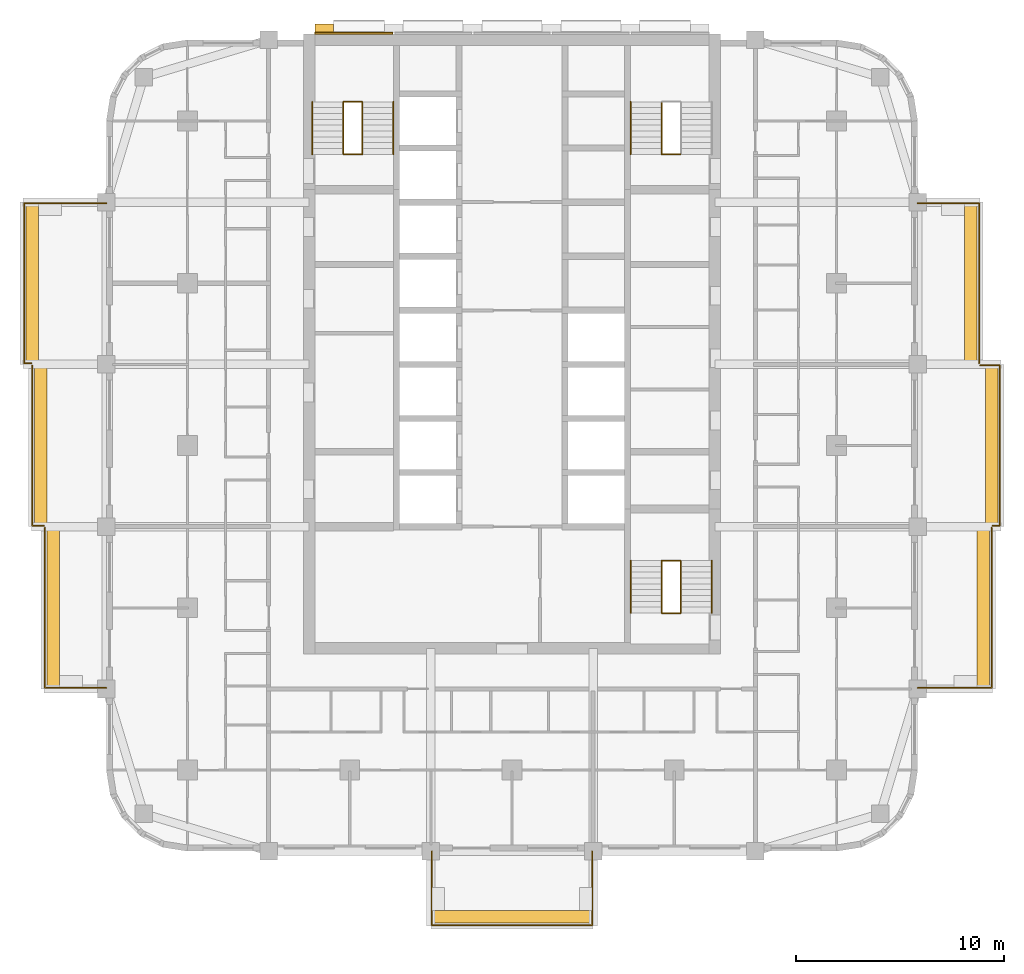
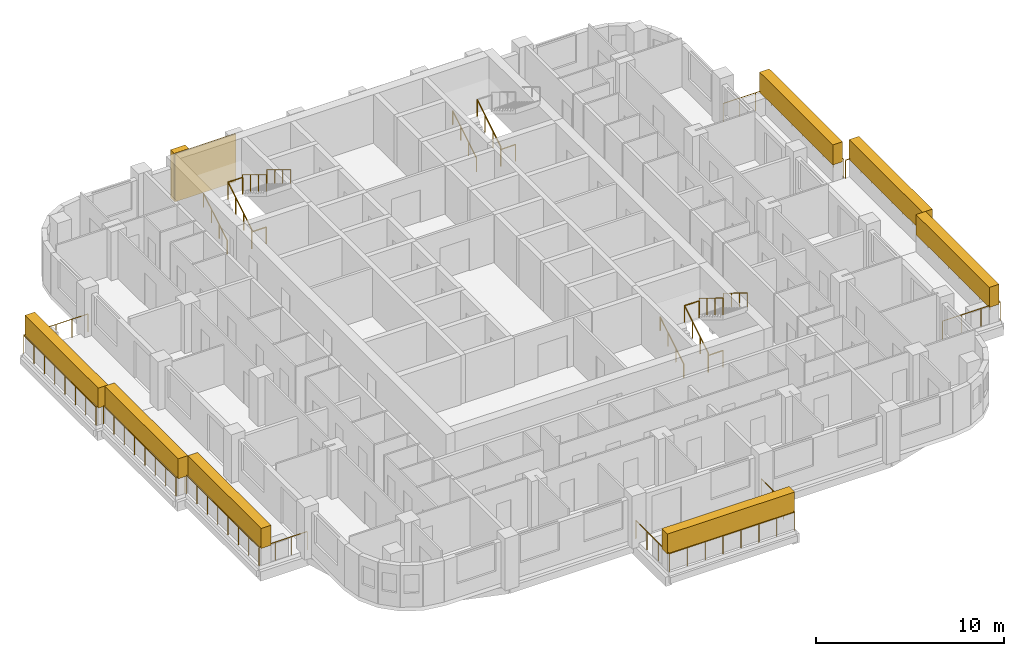
# One storey, part 12 of 13: 22 railings, 9 coverings, 3 elements without a shape of their own.
"""IFC4 building model written with IfcOpenShell, lengths in metres."""

from ifc_helpers import new_model, si_unit, direction, frame, origin, origin_2d, place, context, subcontext, project, spatial, rectangle, circle, extrude, material, layer, layer_set, type_object, element, aggregate, save


model = new_model("IFC4")

# Units and contexts
model_context = context("Model", 3, precision=1e-05, world=origin(), true_north=direction((0.0, 1.0)))
body_context = subcontext(model_context, "Body", "Model", "MODEL_VIEW")
ifc_project = project(units=[si_unit("LENGTHUNIT", "METRE"), si_unit("AREAUNIT", "SQUARE_METRE"), si_unit("VOLUMEUNIT", "CUBIC_METRE"), si_unit("PLANEANGLEUNIT", "RADIAN"), si_unit("MASSUNIT", "GRAM", prefix="KILO")], contexts=[model_context])

# Site, building, storey
site_placement = place(None, origin())
site = spatial("IfcSite", under=ifc_project, at=site_placement, CompositionType="ELEMENT")
building_placement = place(site_placement, origin())
building = spatial("IfcBuilding", under=site, at=building_placement, Name="Ludao Terraces", CompositionType="ELEMENT")
storey_placement = place(building_placement, frame((0.0, 0.0, 130.5)))
storey = spatial("IfcBuildingStorey", under=building, at=storey_placement, Name="L35", CompositionType="ELEMENT", Elevation=130.5)

# Railings
ifc_material_1 = material(Name="Stainless steel 304", Category="steel")
railing_type_1 = type_object("IfcRailingType", Name="ENV Balcony glass guard 1200", PredefinedType="GUARDRAIL", material=ifc_material_1)
railing_1_placement = place(storey_placement, frame((81.14990234375, 45.5, 0.0)))
element("IfcRailing", 1, at=railing_1_placement, inside=storey, type_object=railing_type_1, Name="Balcony guard L35 S1", PredefinedType="GUARDRAIL", context=body_context, shape_type="SweptSolid", body=[
    extrude(circle(Radius=0.02392578125, at=origin_2d()), frame((0.0, 0.0, 1.17578125), z_axis=(0.0, -1.0, 0.0), x_axis=(1.0, 0.0, 0.0)), (0.0, 0.0, 1.0), 3.550048828125),
    extrude(circle(Radius=0.02392578125, at=origin_2d()), frame((0.0, -3.550048828125, 1.17578125), z_axis=(1.0, 0.0, 0.0), x_axis=(0.0, 1.0, 0.0)), (0.0, 0.0, 1.0), 7.7001953125),
    extrude(circle(Radius=0.02392578125, at=origin_2d()), frame((7.7001953125, -3.550048828125, 1.17578125), z_axis=(0.0, 1.0, 0.0), x_axis=(-1.0, 0.0, 0.0)), (0.0, 0.0, 1.0), 3.550048828125),
    extrude(circle(Radius=0.02099609375, at=origin_2d()), origin(), (0.0, 0.0, 1.0), 1.15185546875),
    extrude(circle(Radius=0.02099609375, at=origin_2d()), frame((0.0, -1.183349609375, 0.0)), (0.0, 0.0, 1.0), 1.15185546875),
    extrude(circle(Radius=0.02099609375, at=origin_2d()), frame((0.0, -2.36669921875, 0.0)), (0.0, 0.0, 1.0), 1.15185546875),
    extrude(circle(Radius=0.02099609375, at=origin_2d()), frame((0.0, -3.550048828125, 0.0)), (0.0, 0.0, 1.0), 1.15185546875),
    extrude(circle(Radius=0.02099609375, at=origin_2d()), frame((1.10009765625, -3.550048828125, 0.0)), (0.0, 0.0, 1.0), 1.15185546875),
    extrude(circle(Radius=0.02099609375, at=origin_2d()), frame((2.199951171875, -3.550048828125, 0.0)), (0.0, 0.0, 1.0), 1.15185546875),
    extrude(circle(Radius=0.02099609375, at=origin_2d()), frame((3.300048828125, -3.550048828125, 0.0)), (0.0, 0.0, 1.0), 1.15185546875),
    extrude(circle(Radius=0.02099609375, at=origin_2d()), frame((4.400146484375, -3.550048828125, 0.0)), (0.0, 0.0, 1.0), 1.15185546875),
    extrude(circle(Radius=0.02099609375, at=origin_2d()), frame((5.500244140625, -3.550048828125, 0.0)), (0.0, 0.0, 1.0), 1.15185546875),
    extrude(circle(Radius=0.02099609375, at=origin_2d()), frame((6.60009765625, -3.550048828125, 0.0)), (0.0, 0.0, 1.0), 1.15185546875),
    extrude(circle(Radius=0.02099609375, at=origin_2d()), frame((7.7001953125, -3.550048828125, 0.0)), (0.0, 0.0, 1.0), 1.15185546875),
    extrude(circle(Radius=0.02099609375, at=origin_2d()), frame((7.7001953125, -2.36669921875, 0.0)), (0.0, 0.0, 1.0), 1.15185546875),
    extrude(circle(Radius=0.02099609375, at=origin_2d()), frame((7.7001953125, -1.183349609375, 0.0)), (0.0, 0.0, 1.0), 1.15185546875),
    extrude(circle(Radius=0.02099609375, at=origin_2d()), frame((7.7001953125, 0.0, 0.0)), (0.0, 0.0, 1.0), 1.15185546875),
])
railing_2_placement = place(storey_placement, frame((104.5, 53.35009765625, 0.0)))
element("IfcRailing", 2, at=railing_2_placement, inside=storey, type_object=railing_type_1, Name="Balcony guard L35 E1", PredefinedType="GUARDRAIL", context=body_context, shape_type="SweptSolid", body=[
    extrude(circle(Radius=0.02392578125, at=origin_2d()), frame((0.0, 0.0, 1.17578125), z_axis=(1.0, 0.0, 0.0), x_axis=(0.0, 1.0, 0.0)), (0.0, 0.0, 1.0), 3.550048828125),
    extrude(circle(Radius=0.02392578125, at=origin_2d()), frame((3.550048828125, 0.0, 1.17578125), z_axis=(0.0, 1.0, 0.0), x_axis=(-1.0, 0.0, 0.0)), (0.0, 0.0, 1.0), 7.699951171875),
    extrude(circle(Radius=0.02099609375, at=origin_2d()), origin(), (0.0, 0.0, 1.0), 1.15185546875),
    extrude(circle(Radius=0.02099609375, at=origin_2d()), frame((1.183349609375, 0.0, 0.0)), (0.0, 0.0, 1.0), 1.15185546875),
    extrude(circle(Radius=0.02099609375, at=origin_2d()), frame((2.36669921875, 0.0, 0.0)), (0.0, 0.0, 1.0), 1.15185546875),
    extrude(circle(Radius=0.02099609375, at=origin_2d()), frame((3.550048828125, 0.0, 0.0)), (0.0, 0.0, 1.0), 1.15185546875),
    extrude(circle(Radius=0.02099609375, at=origin_2d()), frame((3.550048828125, 1.10009765625, 0.0)), (0.0, 0.0, 1.0), 1.15185546875),
    extrude(circle(Radius=0.02099609375, at=origin_2d()), frame((3.550048828125, 2.199951171875, 0.0)), (0.0, 0.0, 1.0), 1.15185546875),
    extrude(circle(Radius=0.02099609375, at=origin_2d()), frame((3.550048828125, 3.300048828125, 0.0)), (0.0, 0.0, 1.0), 1.15185546875),
    extrude(circle(Radius=0.02099609375, at=origin_2d()), frame((3.550048828125, 4.39990234375, 0.0)), (0.0, 0.0, 1.0), 1.15185546875),
    extrude(circle(Radius=0.02099609375, at=origin_2d()), frame((3.550048828125, 5.5, 0.0)), (0.0, 0.0, 1.0), 1.15185546875),
    extrude(circle(Radius=0.02099609375, at=origin_2d()), frame((3.550048828125, 6.599853515625, 0.0)), (0.0, 0.0, 1.0), 1.15185546875),
    extrude(circle(Radius=0.02099609375, at=origin_2d()), frame((3.550048828125, 7.699951171875, 0.0)), (0.0, 0.0, 1.0), 1.15185546875),
])
railing_3_placement = place(storey_placement, frame((108.10009765625, 61.14990234375, 0.0)))
element("IfcRailing", 3, at=railing_3_placement, inside=storey, type_object=railing_type_1, Name="Balcony guard L35 E2", PredefinedType="GUARDRAIL", context=body_context, shape_type="SweptSolid", body=[
    extrude(circle(Radius=0.02392578125, at=origin_2d()), frame((0.0, 0.0, 1.17578125), z_axis=(1.0, 0.0, 0.0), x_axis=(0.0, 1.0, 0.0)), (0.0, 0.0, 1.0), 0.349853515625),
    extrude(circle(Radius=0.02392578125, at=origin_2d()), frame((0.349853515625, 0.0, 1.17578125), z_axis=(0.0, 1.0, 0.0), x_axis=(-1.0, 0.0, 0.0)), (0.0, 0.0, 1.0), 7.7001953125),
    extrude(circle(Radius=0.02392578125, at=origin_2d()), frame((0.349853515625, 7.7001953125, 1.17578125), z_axis=(-1.0, 0.0, 0.0), x_axis=(0.0, -1.0, 0.0)), (0.0, 0.0, 1.0), 0.949951171875),
    extrude(circle(Radius=0.02099609375, at=origin_2d()), origin(), (0.0, 0.0, 1.0), 1.15185546875),
    extrude(circle(Radius=0.02099609375, at=origin_2d()), frame((0.349853515625, 0.0, 0.0)), (0.0, 0.0, 1.0), 1.15185546875),
    extrude(circle(Radius=0.02099609375, at=origin_2d()), frame((0.349853515625, 1.10009765625, 0.0)), (0.0, 0.0, 1.0), 1.15185546875),
    extrude(circle(Radius=0.02099609375, at=origin_2d()), frame((0.349853515625, 2.199951171875, 0.0)), (0.0, 0.0, 1.0), 1.15185546875),
    extrude(circle(Radius=0.02099609375, at=origin_2d()), frame((0.349853515625, 3.300048828125, 0.0)), (0.0, 0.0, 1.0), 1.15185546875),
    extrude(circle(Radius=0.02099609375, at=origin_2d()), frame((0.349853515625, 4.400146484375, 0.0)), (0.0, 0.0, 1.0), 1.15185546875),
    extrude(circle(Radius=0.02099609375, at=origin_2d()), frame((0.349853515625, 5.500244140625, 0.0)), (0.0, 0.0, 1.0), 1.15185546875),
    extrude(circle(Radius=0.02099609375, at=origin_2d()), frame((0.349853515625, 6.60009765625, 0.0)), (0.0, 0.0, 1.0), 1.15185546875),
    extrude(circle(Radius=0.02099609375, at=origin_2d()), frame((0.349853515625, 7.7001953125, 0.0)), (0.0, 0.0, 1.0), 1.15185546875),
    extrude(circle(Radius=0.02099609375, at=origin_2d()), frame((-0.60009765625, 7.7001953125, 0.0)), (0.0, 0.0, 1.0), 1.15185546875),
])
railing_4_placement = place(storey_placement, frame((107.449951171875, 68.949951171875, 0.0)))
element("IfcRailing", 4, at=railing_4_placement, inside=storey, type_object=railing_type_1, Name="Balcony guard L35 E3", PredefinedType="GUARDRAIL", context=body_context, shape_type="SweptSolid", body=[
    extrude(circle(Radius=0.02392578125, at=origin_2d()), frame((0.0, 0.0, 1.17578125), z_axis=(0.0, 1.0, 0.0), x_axis=(-1.0, 0.0, 0.0)), (0.0, 0.0, 1.0), 7.699951171875),
    extrude(circle(Radius=0.02392578125, at=origin_2d()), frame((0.0, 7.699951171875, 1.17578125), z_axis=(-1.0, 0.0, 0.0), x_axis=(0.0, -1.0, 0.0)), (0.0, 0.0, 1.0), 2.949951171875),
    extrude(circle(Radius=0.02099609375, at=origin_2d()), origin(), (0.0, 0.0, 1.0), 1.15185546875),
    extrude(circle(Radius=0.02099609375, at=origin_2d()), frame((0.0, 1.10009765625, 0.0)), (0.0, 0.0, 1.0), 1.15185546875),
    extrude(circle(Radius=0.02099609375, at=origin_2d()), frame((0.0, 2.199951171875, 0.0)), (0.0, 0.0, 1.0), 1.15185546875),
    extrude(circle(Radius=0.02099609375, at=origin_2d()), frame((0.0, 3.300048828125, 0.0)), (0.0, 0.0, 1.0), 1.15185546875),
    extrude(circle(Radius=0.02099609375, at=origin_2d()), frame((0.0, 4.39990234375, 0.0)), (0.0, 0.0, 1.0), 1.15185546875),
    extrude(circle(Radius=0.02099609375, at=origin_2d()), frame((0.0, 5.5, 0.0)), (0.0, 0.0, 1.0), 1.15185546875),
    extrude(circle(Radius=0.02099609375, at=origin_2d()), frame((0.0, 6.599853515625, 0.0)), (0.0, 0.0, 1.0), 1.15185546875),
    extrude(circle(Radius=0.02099609375, at=origin_2d()), frame((0.0, 7.699951171875, 0.0)), (0.0, 0.0, 1.0), 1.15185546875),
    extrude(circle(Radius=0.02099609375, at=origin_2d()), frame((-0.9833984375, 7.699951171875, 0.0)), (0.0, 0.0, 1.0), 1.15185546875),
    extrude(circle(Radius=0.02099609375, at=origin_2d()), frame((-1.966552734375, 7.699951171875, 0.0)), (0.0, 0.0, 1.0), 1.15185546875),
    extrude(circle(Radius=0.02099609375, at=origin_2d()), frame((-2.949951171875, 7.699951171875, 0.0)), (0.0, 0.0, 1.0), 1.15185546875),
])
railing_5_placement = place(storey_placement, frame((65.5, 53.35009765625, 0.0)))
element("IfcRailing", 5, at=railing_5_placement, inside=storey, type_object=railing_type_1, Name="Balcony guard L35 W1", PredefinedType="GUARDRAIL", context=body_context, shape_type="SweptSolid", body=[
    extrude(circle(Radius=0.02392578125, at=origin_2d()), frame((0.0, 0.0, 1.17578125), z_axis=(-1.0, 0.0, 0.0), x_axis=(0.0, -1.0, 0.0)), (0.0, 0.0, 1.0), 2.949951171875),
    extrude(circle(Radius=0.02392578125, at=origin_2d()), frame((-2.949951171875, 0.0, 1.17578125), z_axis=(0.0, 1.0, 0.0), x_axis=(-1.0, 0.0, 0.0)), (0.0, 0.0, 1.0), 7.699951171875),
    extrude(circle(Radius=0.02099609375, at=origin_2d()), origin(), (0.0, 0.0, 1.0), 1.15185546875),
    extrude(circle(Radius=0.02099609375, at=origin_2d()), frame((-0.9833984375, 0.0, 0.0)), (0.0, 0.0, 1.0), 1.15185546875),
    extrude(circle(Radius=0.02099609375, at=origin_2d()), frame((-1.966552734375, 0.0, 0.0)), (0.0, 0.0, 1.0), 1.15185546875),
    extrude(circle(Radius=0.02099609375, at=origin_2d()), frame((-2.949951171875, 0.0, 0.0)), (0.0, 0.0, 1.0), 1.15185546875),
    extrude(circle(Radius=0.02099609375, at=origin_2d()), frame((-2.949951171875, 1.10009765625, 0.0)), (0.0, 0.0, 1.0), 1.15185546875),
    extrude(circle(Radius=0.02099609375, at=origin_2d()), frame((-2.949951171875, 2.199951171875, 0.0)), (0.0, 0.0, 1.0), 1.15185546875),
    extrude(circle(Radius=0.02099609375, at=origin_2d()), frame((-2.949951171875, 3.300048828125, 0.0)), (0.0, 0.0, 1.0), 1.15185546875),
    extrude(circle(Radius=0.02099609375, at=origin_2d()), frame((-2.949951171875, 4.39990234375, 0.0)), (0.0, 0.0, 1.0), 1.15185546875),
    extrude(circle(Radius=0.02099609375, at=origin_2d()), frame((-2.949951171875, 5.5, 0.0)), (0.0, 0.0, 1.0), 1.15185546875),
    extrude(circle(Radius=0.02099609375, at=origin_2d()), frame((-2.949951171875, 6.599853515625, 0.0)), (0.0, 0.0, 1.0), 1.15185546875),
    extrude(circle(Radius=0.02099609375, at=origin_2d()), frame((-2.949951171875, 7.699951171875, 0.0)), (0.0, 0.0, 1.0), 1.15185546875),
])
railing_6_placement = place(storey_placement, frame((62.5, 61.14990234375, 0.0)))
element("IfcRailing", 6, at=railing_6_placement, inside=storey, type_object=railing_type_1, Name="Balcony guard L35 W2", PredefinedType="GUARDRAIL", context=body_context, shape_type="SweptSolid", body=[
    extrude(circle(Radius=0.02392578125, at=origin_2d()), frame((0.0, 0.0, 1.17578125), z_axis=(-1.0, 0.0, 0.0), x_axis=(0.0, -1.0, 0.0)), (0.0, 0.0, 1.0), 0.550048828125),
    extrude(circle(Radius=0.02392578125, at=origin_2d()), frame((-0.550048828125, 0.0, 1.17578125), z_axis=(0.0, 1.0, 0.0), x_axis=(-1.0, 0.0, 0.0)), (0.0, 0.0, 1.0), 7.7001953125),
    extrude(circle(Radius=0.02099609375, at=origin_2d()), origin(), (0.0, 0.0, 1.0), 1.15185546875),
    extrude(circle(Radius=0.02099609375, at=origin_2d()), frame((-0.550048828125, 0.0, 0.0)), (0.0, 0.0, 1.0), 1.15185546875),
    extrude(circle(Radius=0.02099609375, at=origin_2d()), frame((-0.550048828125, 1.10009765625, 0.0)), (0.0, 0.0, 1.0), 1.15185546875),
    extrude(circle(Radius=0.02099609375, at=origin_2d()), frame((-0.550048828125, 2.199951171875, 0.0)), (0.0, 0.0, 1.0), 1.15185546875),
    extrude(circle(Radius=0.02099609375, at=origin_2d()), frame((-0.550048828125, 3.300048828125, 0.0)), (0.0, 0.0, 1.0), 1.15185546875),
    extrude(circle(Radius=0.02099609375, at=origin_2d()), frame((-0.550048828125, 4.400146484375, 0.0)), (0.0, 0.0, 1.0), 1.15185546875),
    extrude(circle(Radius=0.02099609375, at=origin_2d()), frame((-0.550048828125, 5.500244140625, 0.0)), (0.0, 0.0, 1.0), 1.15185546875),
    extrude(circle(Radius=0.02099609375, at=origin_2d()), frame((-0.550048828125, 6.60009765625, 0.0)), (0.0, 0.0, 1.0), 1.15185546875),
    extrude(circle(Radius=0.02099609375, at=origin_2d()), frame((-0.550048828125, 7.7001953125, 0.0)), (0.0, 0.0, 1.0), 1.15185546875),
])
railing_7_placement = place(storey_placement, frame((61.89990234375, 68.949951171875, 0.0)))
element("IfcRailing", 7, at=railing_7_placement, inside=storey, type_object=railing_type_1, Name="Balcony guard L35 W3", PredefinedType="GUARDRAIL", context=body_context, shape_type="SweptSolid", body=[
    extrude(circle(Radius=0.02392578125, at=origin_2d()), frame((0.0, 0.0, 1.17578125), z_axis=(-1.0, 0.0, 0.0), x_axis=(0.0, -1.0, 0.0)), (0.0, 0.0, 1.0), 0.349853515625),
    extrude(circle(Radius=0.02392578125, at=origin_2d()), frame((-0.349853515625, 0.0, 1.17578125), z_axis=(0.0, 1.0, 0.0), x_axis=(-1.0, 0.0, 0.0)), (0.0, 0.0, 1.0), 7.699951171875),
    extrude(circle(Radius=0.02392578125, at=origin_2d()), frame((-0.349853515625, 7.699951171875, 1.17578125), z_axis=(1.0, 0.0, 0.0), x_axis=(0.0, 1.0, 0.0)), (0.0, 0.0, 1.0), 3.949951171875),
    extrude(circle(Radius=0.02099609375, at=origin_2d()), origin(), (0.0, 0.0, 1.0), 1.15185546875),
    extrude(circle(Radius=0.02099609375, at=origin_2d()), frame((-0.349853515625, 0.0, 0.0)), (0.0, 0.0, 1.0), 1.15185546875),
    extrude(circle(Radius=0.02099609375, at=origin_2d()), frame((-0.349853515625, 1.10009765625, 0.0)), (0.0, 0.0, 1.0), 1.15185546875),
    extrude(circle(Radius=0.02099609375, at=origin_2d()), frame((-0.349853515625, 2.199951171875, 0.0)), (0.0, 0.0, 1.0), 1.15185546875),
    extrude(circle(Radius=0.02099609375, at=origin_2d()), frame((-0.349853515625, 3.300048828125, 0.0)), (0.0, 0.0, 1.0), 1.15185546875),
    extrude(circle(Radius=0.02099609375, at=origin_2d()), frame((-0.349853515625, 4.39990234375, 0.0)), (0.0, 0.0, 1.0), 1.15185546875),
    extrude(circle(Radius=0.02099609375, at=origin_2d()), frame((-0.349853515625, 5.5, 0.0)), (0.0, 0.0, 1.0), 1.15185546875),
    extrude(circle(Radius=0.02099609375, at=origin_2d()), frame((-0.349853515625, 6.599853515625, 0.0)), (0.0, 0.0, 1.0), 1.15185546875),
    extrude(circle(Radius=0.02099609375, at=origin_2d()), frame((-0.349853515625, 7.699951171875, 0.0)), (0.0, 0.0, 1.0), 1.15185546875),
    extrude(circle(Radius=0.02099609375, at=origin_2d()), frame((0.6376953125, 7.699951171875, 0.0)), (0.0, 0.0, 1.0), 1.15185546875),
    extrude(circle(Radius=0.02099609375, at=origin_2d()), frame((1.625, 7.699951171875, 0.0)), (0.0, 0.0, 1.0), 1.15185546875),
    extrude(circle(Radius=0.02099609375, at=origin_2d()), frame((2.612548828125, 7.699951171875, 0.0)), (0.0, 0.0, 1.0), 1.15185546875),
    extrude(circle(Radius=0.02099609375, at=origin_2d()), frame((3.60009765625, 7.699951171875, 0.0)), (0.0, 0.0, 1.0), 1.15185546875),
])

# Coverings
ifc_material_2 = material(Name="Granite cladding", Category="masonry")
ifc_layer_1 = layer(ifc_material_2, 0.39990234375)
ifc_layer_set_1 = layer_set([ifc_layer_1], Name="ENV Core pilaster stone 400")
covering_type_1 = type_object("IfcCoveringType", Name="ENV Core pilaster stone 400", PredefinedType="CLADDING", material=ifc_layer_set_1)
covering_1_placement = place(storey_placement, frame((75.97509765625, 85.054931640625, 0.0), z_axis=(0.0, 0.0, 1.0), x_axis=(1.0, 0.0, 0.0)))
element("IfcCovering", 8, at=covering_1_placement, inside=storey, type_object=covering_type_1, Name="CC-L35-PIL1", PredefinedType="CLADDING", context=body_context, shape_type="SweptSolid", body=[
    extrude(rectangle(XDim=0.89990234375, YDim=0.39990234375, at=origin_2d()), origin(), (0.0, 0.0, 1.0), 3.10009765625),
])
ifc_layer_2 = layer(ifc_material_2, 0.080078125)
ifc_layer_set_2 = layer_set([ifc_layer_2], Name="ENV Core stone cladding panel 80")
covering_type_2 = type_object("IfcCoveringType", Name="ENV Core stone cladding panel 80", PredefinedType="CLADDING", material=ifc_layer_set_2)
covering_2_placement = place(storey_placement, frame((77.39501953125, 84.81494140625, 0.0), z_axis=(0.0, 0.0, 1.0), x_axis=(1.0, 0.0, 0.0)))
element("IfcCovering", 9, at=covering_2_placement, inside=storey, type_object=covering_type_2, Name="CC-L35-CORE1", PredefinedType="CLADDING", context=body_context, shape_type="SweptSolid", body=[
    extrude(rectangle(XDim=3.739990234375, YDim=0.080078125, at=origin_2d()), origin(), (0.0, 0.0, 1.0), 3.10009765625),
])
ifc_material_3 = material(Name="Planting")
ifc_layer_3 = layer(ifc_material_3, 0.60009765625)
ifc_layer_set_3 = layer_set([ifc_layer_3], Name="ENV Planting hedge 600x1300")
covering_type_3 = type_object("IfcCoveringType", Name="ENV Planting hedge 600x1300", PredefinedType="USERDEFINED", material=ifc_layer_set_3)
covering_3_placement = place(storey_placement, frame((85.0, 42.35009765625, 1.10009765625), z_axis=(0.0, 0.0, 1.0), x_axis=(1.0, 0.0, 0.0)))
element("IfcCovering", 10, at=covering_3_placement, inside=storey, type_object=covering_type_3, Name="Planting hedge L35-S1", ObjectType="PLANTING", PredefinedType="USERDEFINED", context=body_context, shape_type="SweptSolid", body=[
    extrude(rectangle(XDim=7.800048828125, YDim=0.60009765625, at=origin_2d()), origin(), (0.0, 0.0, 1.0), 1.300048828125),
])
for number, where, z_axis, x_axis, name in (
    (11, (107.64990234375, 57.199951171875, 1.10009765625), (0.0, 0.0, 1.0), (1.0, 0.0, 0.0), "Planting hedge L35-E1"),
    (12, (108.050048828125, 65.0, 1.10009765625), (0.0, 0.0, 1.0), (1.0, 0.0, 0.0), "Planting hedge L35-E2"),
    (13, (107.050048828125, 72.800048828125, 1.10009765625), (0.0, 0.0, 1.0), (1.0, 0.0, 0.0), "Planting hedge L35-E3"),
    (14, (62.949951171875, 57.199951171875, 1.10009765625), (0.0, 0.0, 1.0), (1.0, 0.0, 0.0), "Planting hedge L35-W1"),
    (15, (62.35009765625, 65.0, 1.10009765625), (0.0, 0.0, 1.0), (1.0, 0.0, 0.0), "Planting hedge L35-W2"),
    (16, (61.949951171875, 72.800048828125, 1.10009765625), (0.0, 0.0, 1.0), (1.0, 0.0, 0.0), "Planting hedge L35-W3"),
):
    element("IfcCovering", number, at=place(storey_placement, frame(where, z_axis=z_axis, x_axis=x_axis)), inside=storey, type_object=covering_type_3, Name=name, ObjectType="PLANTING", PredefinedType="USERDEFINED", context=body_context, shape_type="SweptSolid", body=[
        extrude(rectangle(XDim=0.60009765625, YDim=7.800048828125, at=origin_2d()), origin(), (0.0, 0.0, 1.0), 1.300048828125),
    ])

# Stair, railings
ifc_material_4 = material(Name="Concrete C40", Category="concrete")
stair_type = type_object("IfcStairType", Name="INT Stair", PredefinedType="HALF_TURN_STAIR", material=ifc_material_4)
stair_1_placement = place(storey_placement, origin())
stair_1 = element("IfcStair", 17, at=stair_1_placement, inside=storey, type_object=stair_type, Name="EXIT STAIR 1", PredefinedType="HALF_TURN_STAIR")
railing_type_2 = type_object("IfcRailingType", Name="INT Stair guard 1100", PredefinedType="GUARDRAIL", material=ifc_material_1)
railing_8_placement = place(storey_placement, frame((76.89990234375, 79.0, 0.169921875)))
railing_8 = element("IfcRailing", 18, at=railing_8_placement, type_object=railing_type_2, Name="ST-L35-S1-R1G", PredefinedType="GUARDRAIL", context=body_context, shape_type="SweptSolid", body=[
    extrude(circle(Radius=0.02392578125, at=origin_2d()), frame((0.0, 0.0, 1.076171875), z_axis=(0.0, 0.85478489116, 0.518982456201), x_axis=(-1.0, 0.0, 0.0)), (0.0, 0.0, 1.0), 2.9482421875),
    extrude(circle(Radius=0.02099609375, at=origin_2d()), origin(), (0.0, 0.0, 1.0), 1.052001953125),
    extrude(circle(Radius=0.02099609375, at=origin_2d()), frame((0.0, 0.840087890625, 0.510009765625)), (0.0, 0.0, 1.0), 1.052001953125),
    extrude(circle(Radius=0.02099609375, at=origin_2d()), frame((0.0, 1.679931640625, 1.02001953125)), (0.0, 0.0, 1.0), 1.052001953125),
    extrude(circle(Radius=0.02099609375, at=origin_2d()), frame((0.0, 2.52001953125, 1.530029296875)), (0.0, 0.0, 1.0), 1.052001953125),
])
railing_9_placement = place(storey_placement, frame((77.800048828125, 81.52001953125, 1.8701171875)))
railing_9 = element("IfcRailing", 19, at=railing_9_placement, type_object=railing_type_2, Name="ST-L35-S1-R2G", PredefinedType="GUARDRAIL", context=body_context, shape_type="SweptSolid", body=[
    extrude(circle(Radius=0.02392578125, at=origin_2d()), frame((0.0, 0.0, 1.076171875), z_axis=(0.0, -0.854821627497, 0.518921945155), x_axis=(1.0, 0.0, 0.0)), (0.0, 0.0, 1.0), 2.947998046875),
    extrude(circle(Radius=0.02099609375, at=origin_2d()), origin(), (0.0, 0.0, 1.0), 1.052001953125),
    extrude(circle(Radius=0.02099609375, at=origin_2d()), frame((0.0, -0.840087890625, 0.510009765625)), (0.0, 0.0, 1.0), 1.052001953125),
    extrude(circle(Radius=0.02099609375, at=origin_2d()), frame((0.0, -1.679931640625, 1.019775390625)), (0.0, 0.0, 1.0), 1.052001953125),
    extrude(circle(Radius=0.02099609375, at=origin_2d()), frame((0.0, -2.52001953125, 1.52978515625)), (0.0, 0.0, 1.0), 1.052001953125),
])
railing_10_placement = place(storey_placement, frame((76.89990234375, 81.52001953125, 1.699951171875)))
railing_10 = element("IfcRailing", 20, at=railing_10_placement, type_object=railing_type_2, Name="ST-L35-S1-E1G", PredefinedType="GUARDRAIL", context=body_context, shape_type="SweptSolid", body=[
    extrude(circle(Radius=0.02392578125, at=origin_2d()), frame((0.0, 0.0, 1.076171875), z_axis=(1.0, 0.0, 0.0), x_axis=(0.0, 1.0, 0.0)), (0.0, 0.0, 1.0), 0.900146484375),
    extrude(circle(Radius=0.02099609375, at=origin_2d()), origin(), (0.0, 0.0, 1.0), 1.052001953125),
    extrude(circle(Radius=0.02099609375, at=origin_2d()), frame((0.900146484375, 0.0, 0.0)), (0.0, 0.0, 1.0), 1.052001953125),
])
railing_11_placement = place(storey_placement, frame((76.89990234375, 79.0, 0.0)))
railing_11 = element("IfcRailing", 21, at=railing_11_placement, type_object=railing_type_2, Name="ST-L35-S1-E2G", PredefinedType="GUARDRAIL", context=body_context, shape_type="SweptSolid", body=[
    extrude(circle(Radius=0.02392578125, at=origin_2d()), frame((0.0, 0.0, 1.076171875), z_axis=(1.0, 0.0, 0.0), x_axis=(0.0, 1.0, 0.0)), (0.0, 0.0, 1.0), 0.900146484375),
    extrude(circle(Radius=0.02099609375, at=origin_2d()), origin(), (0.0, 0.0, 1.0), 1.052001953125),
    extrude(circle(Radius=0.02099609375, at=origin_2d()), frame((0.900146484375, 0.0, 0.0)), (0.0, 0.0, 1.0), 1.052001953125),
])

stair_2_placement = place(storey_placement, origin())
stair_2 = element("IfcStair", 22, at=stair_2_placement, inside=storey, type_object=stair_type, Name="EXIT STAIR 2", PredefinedType="HALF_TURN_STAIR")
railing_12_placement = place(storey_placement, frame((92.199951171875, 79.0, 0.169921875)))
railing_12 = element("IfcRailing", 23, at=railing_12_placement, type_object=railing_type_2, Name="ST-L35-S2-R1G", PredefinedType="GUARDRAIL", context=body_context, shape_type="SweptSolid", body=[
    extrude(circle(Radius=0.02392578125, at=origin_2d()), frame((0.0, 0.0, 1.076171875), z_axis=(0.0, 0.85478489116, 0.518982456201), x_axis=(-1.0, 0.0, 0.0)), (0.0, 0.0, 1.0), 2.9482421875),
    extrude(circle(Radius=0.02099609375, at=origin_2d()), origin(), (0.0, 0.0, 1.0), 1.052001953125),
    extrude(circle(Radius=0.02099609375, at=origin_2d()), frame((0.0, 0.840087890625, 0.510009765625)), (0.0, 0.0, 1.0), 1.052001953125),
    extrude(circle(Radius=0.02099609375, at=origin_2d()), frame((0.0, 1.679931640625, 1.02001953125)), (0.0, 0.0, 1.0), 1.052001953125),
    extrude(circle(Radius=0.02099609375, at=origin_2d()), frame((0.0, 2.52001953125, 1.530029296875)), (0.0, 0.0, 1.0), 1.052001953125),
])
railing_13_placement = place(storey_placement, frame((92.199951171875, 79.0, 0.0)))
railing_13 = element("IfcRailing", 24, at=railing_13_placement, type_object=railing_type_2, Name="ST-L35-S2-E2G", PredefinedType="GUARDRAIL", context=body_context, shape_type="SweptSolid", body=[
    extrude(circle(Radius=0.02392578125, at=origin_2d()), frame((0.0, 0.0, 1.076171875), z_axis=(1.0, 0.0, 0.0), x_axis=(0.0, 1.0, 0.0)), (0.0, 0.0, 1.0), 0.900146484375),
    extrude(circle(Radius=0.02099609375, at=origin_2d()), origin(), (0.0, 0.0, 1.0), 1.052001953125),
    extrude(circle(Radius=0.02099609375, at=origin_2d()), frame((0.900146484375, 0.0, 0.0)), (0.0, 0.0, 1.0), 1.052001953125),
])

stair_3_placement = place(storey_placement, origin())
stair_3 = element("IfcStair", 25, at=stair_3_placement, inside=storey, type_object=stair_type, Name="EXIT STAIR 3", PredefinedType="HALF_TURN_STAIR")
railing_14_placement = place(storey_placement, frame((92.199951171875, 56.949951171875, 0.169921875)))
railing_14 = element("IfcRailing", 26, at=railing_14_placement, type_object=railing_type_2, Name="ST-L35-S3-R1G", PredefinedType="GUARDRAIL", context=body_context, shape_type="SweptSolid", body=[
    extrude(circle(Radius=0.02392578125, at=origin_2d()), frame((0.0, 0.0, 1.076171875), z_axis=(0.0, 0.85478489116, 0.518982456201), x_axis=(-1.0, 0.0, 0.0)), (0.0, 0.0, 1.0), 2.9482421875),
    extrude(circle(Radius=0.02099609375, at=origin_2d()), origin(), (0.0, 0.0, 1.0), 1.052001953125),
    extrude(circle(Radius=0.02099609375, at=origin_2d()), frame((0.0, 0.840087890625, 0.510009765625)), (0.0, 0.0, 1.0), 1.052001953125),
    extrude(circle(Radius=0.02099609375, at=origin_2d()), frame((0.0, 1.679931640625, 1.02001953125)), (0.0, 0.0, 1.0), 1.052001953125),
    extrude(circle(Radius=0.02099609375, at=origin_2d()), frame((0.0, 2.52001953125, 1.530029296875)), (0.0, 0.0, 1.0), 1.052001953125),
])
railing_15_placement = place(storey_placement, frame((93.10009765625, 59.469970703125, 1.8701171875)))
railing_15 = element("IfcRailing", 27, at=railing_15_placement, type_object=railing_type_2, Name="ST-L35-S3-R2G", PredefinedType="GUARDRAIL", context=body_context, shape_type="SweptSolid", body=[
    extrude(circle(Radius=0.02392578125, at=origin_2d()), frame((0.0, 0.0, 1.076171875), z_axis=(0.0, -0.854821627497, 0.518921945155), x_axis=(1.0, 0.0, 0.0)), (0.0, 0.0, 1.0), 2.947998046875),
    extrude(circle(Radius=0.02099609375, at=origin_2d()), origin(), (0.0, 0.0, 1.0), 1.052001953125),
    extrude(circle(Radius=0.02099609375, at=origin_2d()), frame((0.0, -0.840087890625, 0.510009765625)), (0.0, 0.0, 1.0), 1.052001953125),
    extrude(circle(Radius=0.02099609375, at=origin_2d()), frame((0.0, -1.679931640625, 1.019775390625)), (0.0, 0.0, 1.0), 1.052001953125),
    extrude(circle(Radius=0.02099609375, at=origin_2d()), frame((0.0, -2.52001953125, 1.52978515625)), (0.0, 0.0, 1.0), 1.052001953125),
])
railing_16_placement = place(storey_placement, frame((92.199951171875, 59.469970703125, 1.699951171875)))
railing_16 = element("IfcRailing", 28, at=railing_16_placement, type_object=railing_type_2, Name="ST-L35-S3-E1G", PredefinedType="GUARDRAIL", context=body_context, shape_type="SweptSolid", body=[
    extrude(circle(Radius=0.02392578125, at=origin_2d()), frame((0.0, 0.0, 1.076171875), z_axis=(1.0, 0.0, 0.0), x_axis=(0.0, 1.0, 0.0)), (0.0, 0.0, 1.0), 0.900146484375),
    extrude(circle(Radius=0.02099609375, at=origin_2d()), origin(), (0.0, 0.0, 1.0), 1.052001953125),
    extrude(circle(Radius=0.02099609375, at=origin_2d()), frame((0.900146484375, 0.0, 0.0)), (0.0, 0.0, 1.0), 1.052001953125),
])
railing_17_placement = place(storey_placement, frame((92.199951171875, 56.949951171875, 0.0)))
railing_17 = element("IfcRailing", 29, at=railing_17_placement, type_object=railing_type_2, Name="ST-L35-S3-E2G", PredefinedType="GUARDRAIL", context=body_context, shape_type="SweptSolid", body=[
    extrude(circle(Radius=0.02392578125, at=origin_2d()), frame((0.0, 0.0, 1.076171875), z_axis=(1.0, 0.0, 0.0), x_axis=(0.0, 1.0, 0.0)), (0.0, 0.0, 1.0), 0.900146484375),
    extrude(circle(Radius=0.02099609375, at=origin_2d()), origin(), (0.0, 0.0, 1.0), 1.052001953125),
    extrude(circle(Radius=0.02099609375, at=origin_2d()), frame((0.900146484375, 0.0, 0.0)), (0.0, 0.0, 1.0), 1.052001953125),
])

# Railing
railing_type_3 = type_object("IfcRailingType", Name="INT Stair handrail 900", PredefinedType="HANDRAIL", material=ifc_material_1)
railing_18_placement = place(storey_placement, frame((75.39990234375, 79.0, 0.169921875)))
railing_18 = element("IfcRailing", 30, at=railing_18_placement, type_object=railing_type_3, Name="ST-L35-S1-R1H", PredefinedType="HANDRAIL", context=body_context, shape_type="SweptSolid", body=[
    extrude(circle(Radius=0.02392578125, at=origin_2d()), frame((0.0, 0.0, 0.8759765625), z_axis=(0.0, 0.85478489116, 0.518982456201), x_axis=(-1.0, 0.0, 0.0)), (0.0, 0.0, 1.0), 2.9482421875),
    extrude(circle(Radius=0.02099609375, at=origin_2d()), origin(), (0.0, 0.0, 1.0), 0.851806640625),
    extrude(circle(Radius=0.02099609375, at=origin_2d()), frame((0.0, 0.840087890625, 0.510009765625)), (0.0, 0.0, 1.0), 0.851806640625),
    extrude(circle(Radius=0.02099609375, at=origin_2d()), frame((0.0, 1.679931640625, 1.02001953125)), (0.0, 0.0, 1.0), 0.851806640625),
    extrude(circle(Radius=0.02099609375, at=origin_2d()), frame((0.0, 2.52001953125, 1.530029296875)), (0.0, 0.0, 1.0), 0.851806640625),
])

railing_19_placement = place(storey_placement, frame((79.300048828125, 81.52001953125, 1.8701171875)))
railing_19 = element("IfcRailing", 31, at=railing_19_placement, type_object=railing_type_3, Name="ST-L35-S1-R2H", PredefinedType="HANDRAIL", context=body_context, shape_type="SweptSolid", body=[
    extrude(circle(Radius=0.02392578125, at=origin_2d()), frame((0.0, 0.0, 0.8759765625), z_axis=(0.0, -0.854821627497, 0.518921945155), x_axis=(1.0, 0.0, 0.0)), (0.0, 0.0, 1.0), 2.947998046875),
    extrude(circle(Radius=0.02099609375, at=origin_2d()), origin(), (0.0, 0.0, 1.0), 0.851806640625),
    extrude(circle(Radius=0.02099609375, at=origin_2d()), frame((0.0, -0.840087890625, 0.510009765625)), (0.0, 0.0, 1.0), 0.851806640625),
    extrude(circle(Radius=0.02099609375, at=origin_2d()), frame((0.0, -1.679931640625, 1.019775390625)), (0.0, 0.0, 1.0), 0.851806640625),
    extrude(circle(Radius=0.02099609375, at=origin_2d()), frame((0.0, -2.52001953125, 1.52978515625)), (0.0, 0.0, 1.0), 0.851806640625),
])

aggregate(stair_1, [railing_8, railing_18, railing_9, railing_19, railing_10, railing_11])

railing_20_placement = place(storey_placement, frame((90.699951171875, 79.0, 0.169921875)))
railing_20 = element("IfcRailing", 32, at=railing_20_placement, type_object=railing_type_3, Name="ST-L35-S2-R1H", PredefinedType="HANDRAIL", context=body_context, shape_type="SweptSolid", body=[
    extrude(circle(Radius=0.02392578125, at=origin_2d()), frame((0.0, 0.0, 0.8759765625), z_axis=(0.0, 0.85478489116, 0.518982456201), x_axis=(-1.0, 0.0, 0.0)), (0.0, 0.0, 1.0), 2.9482421875),
    extrude(circle(Radius=0.02099609375, at=origin_2d()), origin(), (0.0, 0.0, 1.0), 0.851806640625),
    extrude(circle(Radius=0.02099609375, at=origin_2d()), frame((0.0, 0.840087890625, 0.510009765625)), (0.0, 0.0, 1.0), 0.851806640625),
    extrude(circle(Radius=0.02099609375, at=origin_2d()), frame((0.0, 1.679931640625, 1.02001953125)), (0.0, 0.0, 1.0), 0.851806640625),
    extrude(circle(Radius=0.02099609375, at=origin_2d()), frame((0.0, 2.52001953125, 1.530029296875)), (0.0, 0.0, 1.0), 0.851806640625),
])

aggregate(stair_2, [railing_12, railing_20, railing_13])

railing_21_placement = place(storey_placement, frame((90.699951171875, 56.949951171875, 0.169921875)))
railing_21 = element("IfcRailing", 33, at=railing_21_placement, type_object=railing_type_3, Name="ST-L35-S3-R1H", PredefinedType="HANDRAIL", context=body_context, shape_type="SweptSolid", body=[
    extrude(circle(Radius=0.02392578125, at=origin_2d()), frame((0.0, 0.0, 0.8759765625), z_axis=(0.0, 0.85478489116, 0.518982456201), x_axis=(-1.0, 0.0, 0.0)), (0.0, 0.0, 1.0), 2.9482421875),
    extrude(circle(Radius=0.02099609375, at=origin_2d()), origin(), (0.0, 0.0, 1.0), 0.851806640625),
    extrude(circle(Radius=0.02099609375, at=origin_2d()), frame((0.0, 0.840087890625, 0.510009765625)), (0.0, 0.0, 1.0), 0.851806640625),
    extrude(circle(Radius=0.02099609375, at=origin_2d()), frame((0.0, 1.679931640625, 1.02001953125)), (0.0, 0.0, 1.0), 0.851806640625),
    extrude(circle(Radius=0.02099609375, at=origin_2d()), frame((0.0, 2.52001953125, 1.530029296875)), (0.0, 0.0, 1.0), 0.851806640625),
])

railing_22_placement = place(storey_placement, frame((94.60009765625, 59.469970703125, 1.8701171875)))
railing_22 = element("IfcRailing", 34, at=railing_22_placement, type_object=railing_type_3, Name="ST-L35-S3-R2H", PredefinedType="HANDRAIL", context=body_context, shape_type="SweptSolid", body=[
    extrude(circle(Radius=0.02392578125, at=origin_2d()), frame((0.0, 0.0, 0.8759765625), z_axis=(0.0, -0.854821627497, 0.518921945155), x_axis=(1.0, 0.0, 0.0)), (0.0, 0.0, 1.0), 2.947998046875),
    extrude(circle(Radius=0.02099609375, at=origin_2d()), origin(), (0.0, 0.0, 1.0), 0.851806640625),
    extrude(circle(Radius=0.02099609375, at=origin_2d()), frame((0.0, -0.840087890625, 0.510009765625)), (0.0, 0.0, 1.0), 0.851806640625),
    extrude(circle(Radius=0.02099609375, at=origin_2d()), frame((0.0, -1.679931640625, 1.019775390625)), (0.0, 0.0, 1.0), 0.851806640625),
    extrude(circle(Radius=0.02099609375, at=origin_2d()), frame((0.0, -2.52001953125, 1.52978515625)), (0.0, 0.0, 1.0), 0.851806640625),
])

aggregate(stair_3, [railing_14, railing_21, railing_15, railing_22, railing_16, railing_17])

save(model, "model.ifc")
